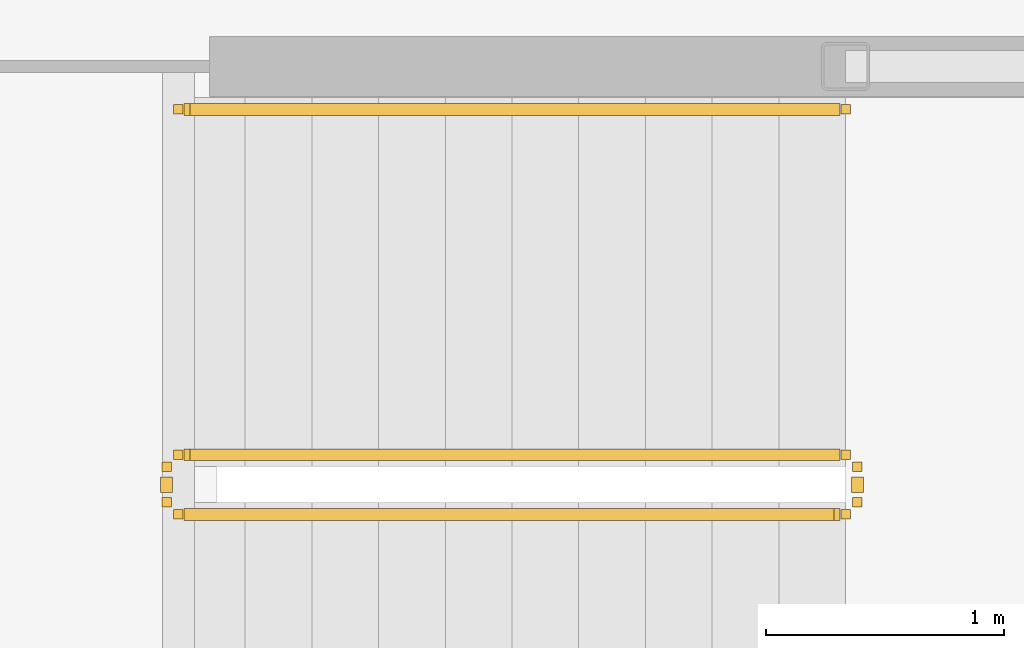
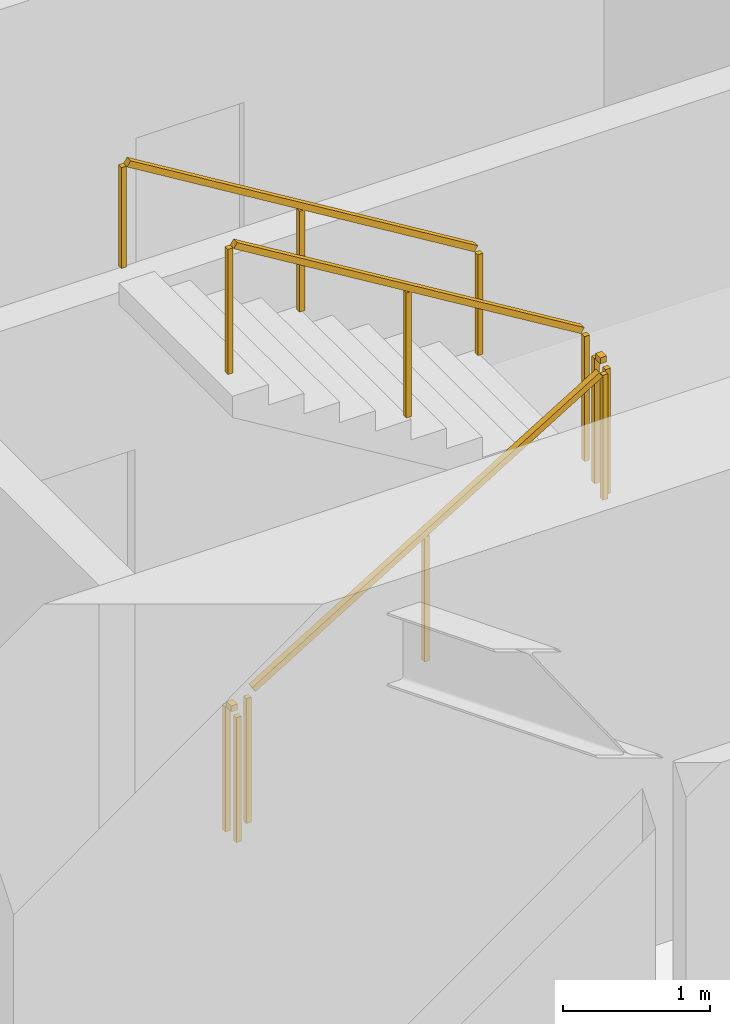
# One storey, part 27 of 30: 5 railings.
"""IFC4 building model written with IfcOpenShell, lengths in metres."""

from ifc_helpers import new_model, si_unit, direction, frame, origin, origin_2d, place, context, subcontext, project, spatial, rectangle, extrude, material, type_object, element, save


model = new_model("IFC4")

# Units and contexts
model_context = context("Model", 3, precision=1e-05, world=origin(), true_north=direction((0.0, 1.0)))
body_context = subcontext(model_context, "Body", "Model", "MODEL_VIEW")
ifc_project = project(units=[si_unit("LENGTHUNIT", "METRE"), si_unit("AREAUNIT", "SQUARE_METRE"), si_unit("VOLUMEUNIT", "CUBIC_METRE"), si_unit("PLANEANGLEUNIT", "RADIAN"), si_unit("MASSUNIT", "GRAM", prefix="KILO")], contexts=[model_context])

# Site, building, storey
site_placement = place(None, origin())
site = spatial("IfcSite", under=ifc_project, at=site_placement, CompositionType="ELEMENT")
building_placement = place(site_placement, origin())
building = spatial("IfcBuilding", under=site, at=building_placement, Name="Kazma Halo Residences", CompositionType="ELEMENT")
storey_placement = place(building_placement, frame((0.0, 0.0, 56.39990234375)))
storey = spatial("IfcBuildingStorey", under=building, at=storey_placement, Name="L13", CompositionType="ELEMENT", Elevation=56.39990234375)

# Railings
ifc_material_1 = material(Name="Painted Steel S355", Category="steel")
railing_type_1 = type_object("IfcRailingType", Name="RLG-STAIR-GRD-1100", PredefinedType="GUARDRAIL", material=ifc_material_1)
railing_1_placement = place(storey_placement, frame((53.199951171875, 35.5, 0.170654296875)))
element("IfcRailing", 1, at=railing_1_placement, inside=storey, type_object=railing_type_1, Name="L13 ST-03 stair guard 1", PredefinedType="GUARDRAIL", context=body_context, shape_type="SweptSolid", body=[
    extrude(rectangle(XDim=0.050048828125, YDim=0.050048828125, at=origin_2d()), frame((0.036376953125, 0.0, 1.09716796875), z_axis=(0.854202870247, 0.0, 0.519939858505), x_axis=(0.0, 1.0, 0.0)), (0.0, 0.0, 1.0), 3.19287109375),
    extrude(rectangle(XDim=0.0400390625, YDim=0.0400390625, at=origin_2d()), origin(), (0.0, 0.0, 1.0), 1.0380859375),
    extrude(rectangle(XDim=0.0400390625, YDim=0.0400390625, at=origin_2d()), frame((1.39990234375, 0.0, 0.85205078125)), (0.0, 0.0, 1.0), 1.0380859375),
    extrude(rectangle(XDim=0.0400390625, YDim=0.0400390625, at=origin_2d()), frame((2.800048828125, 0.0, 1.704345703125)), (0.0, 0.0, 1.0), 1.0380859375),
])
railing_2_placement = place(storey_placement, frame((56.050048828125, 35.550048828125, 1.875)))
element("IfcRailing", 2, at=railing_2_placement, inside=storey, type_object=railing_type_1, Name="L13 ST-03 stair guard 2", PredefinedType="GUARDRAIL", context=body_context, shape_type="SweptSolid", body=[
    extrude(rectangle(XDim=0.050048828125, YDim=0.050048828125, at=origin_2d()), frame((0.0, 0.04248046875, 1.0751953125), z_axis=(0.0, 1.0, 0.0), x_axis=(-1.0, 0.0, 0.0)), (0.0, 0.0, 1.0), 0.06494140625),
    extrude(rectangle(XDim=0.0400390625, YDim=0.0400390625, at=origin_2d()), origin(), (0.0, 0.0, 1.0), 1.0380859375),
    extrude(rectangle(XDim=0.0400390625, YDim=0.0400390625, at=origin_2d()), frame((0.0, 0.14990234375, 0.0)), (0.0, 0.0, 1.0), 1.0380859375),
])
railing_3_placement = place(storey_placement, frame((56.0, 35.75, 2.045654296875)))
element("IfcRailing", 3, at=railing_3_placement, inside=storey, type_object=railing_type_1, Name="L13 ST-03 stair guard 3", PredefinedType="GUARDRAIL", context=body_context, shape_type="SweptSolid", body=[
    extrude(rectangle(XDim=0.050048828125, YDim=0.050048828125, at=origin_2d()), frame((-0.036376953125, 0.0, 1.09716796875), z_axis=(-0.854202870247, 0.0, 0.519939858505), x_axis=(0.0, -1.0, 0.0)), (0.0, 0.0, 1.0), 3.19287109375),
    extrude(rectangle(XDim=0.0400390625, YDim=0.0400390625, at=origin_2d()), origin(), (0.0, 0.0, 1.0), 1.0380859375),
    extrude(rectangle(XDim=0.0400390625, YDim=0.0400390625, at=origin_2d()), frame((-1.39990234375, 0.0, 0.85205078125)), (0.0, 0.0, 1.0), 1.0380859375),
    extrude(rectangle(XDim=0.0400390625, YDim=0.0400390625, at=origin_2d()), frame((-2.800048828125, 0.0, 1.704345703125)), (0.0, 0.0, 1.0), 1.0380859375),
])
railing_4_placement = place(storey_placement, frame((53.14990234375, 35.550048828125, 0.0)))
element("IfcRailing", 4, at=railing_4_placement, inside=storey, type_object=railing_type_1, Name="L13 ST-03 stair guard 4", PredefinedType="GUARDRAIL", context=body_context, shape_type="SweptSolid", body=[
    extrude(rectangle(XDim=0.050048828125, YDim=0.050048828125, at=origin_2d()), frame((0.0, 0.04248046875, 1.0751953125), z_axis=(0.0, 1.0, 0.0), x_axis=(-1.0, 0.0, 0.0)), (0.0, 0.0, 1.0), 0.06494140625),
    extrude(rectangle(XDim=0.0400390625, YDim=0.0400390625, at=origin_2d()), origin(), (0.0, 0.0, 1.0), 1.0380859375),
    extrude(rectangle(XDim=0.0400390625, YDim=0.0400390625, at=origin_2d()), frame((0.0, 0.14990234375, 0.0)), (0.0, 0.0, 1.0), 1.0380859375),
])
ifc_material_2 = material(Name="Brushed Stainless Steel", Category="steel")
railing_type_2 = type_object("IfcRailingType", Name="RLG-STAIR-HND-900", PredefinedType="HANDRAIL", material=ifc_material_2)
railing_5_placement = place(storey_placement, frame((56.0, 37.199951171875, 2.045654296875)))
element("IfcRailing", 5, at=railing_5_placement, inside=storey, type_object=railing_type_2, Name="L13 ST-03 stair handrail 2", PredefinedType="HANDRAIL", context=body_context, shape_type="SweptSolid", body=[
    extrude(rectangle(XDim=0.050048828125, YDim=0.050048828125, at=origin_2d()), frame((-0.036376953125, 0.0, 0.89697265625), z_axis=(-0.854202870247, 0.0, 0.519939858505), x_axis=(0.0, -1.0, 0.0)), (0.0, 0.0, 1.0), 3.19287109375),
    extrude(rectangle(XDim=0.0400390625, YDim=0.0400390625, at=origin_2d()), origin(), (0.0, 0.0, 1.0), 0.837890625),
    extrude(rectangle(XDim=0.0400390625, YDim=0.0400390625, at=origin_2d()), frame((-1.39990234375, 0.0, 0.85205078125)), (0.0, 0.0, 1.0), 0.837890625),
    extrude(rectangle(XDim=0.0400390625, YDim=0.0400390625, at=origin_2d()), frame((-2.800048828125, 0.0, 1.704345703125)), (0.0, 0.0, 1.0), 0.837890625),
])

save(model, "model.ifc")
